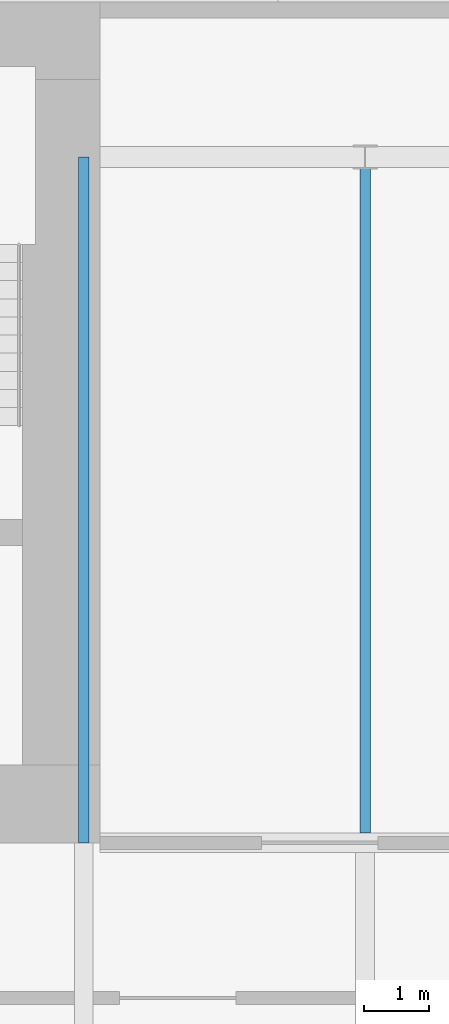
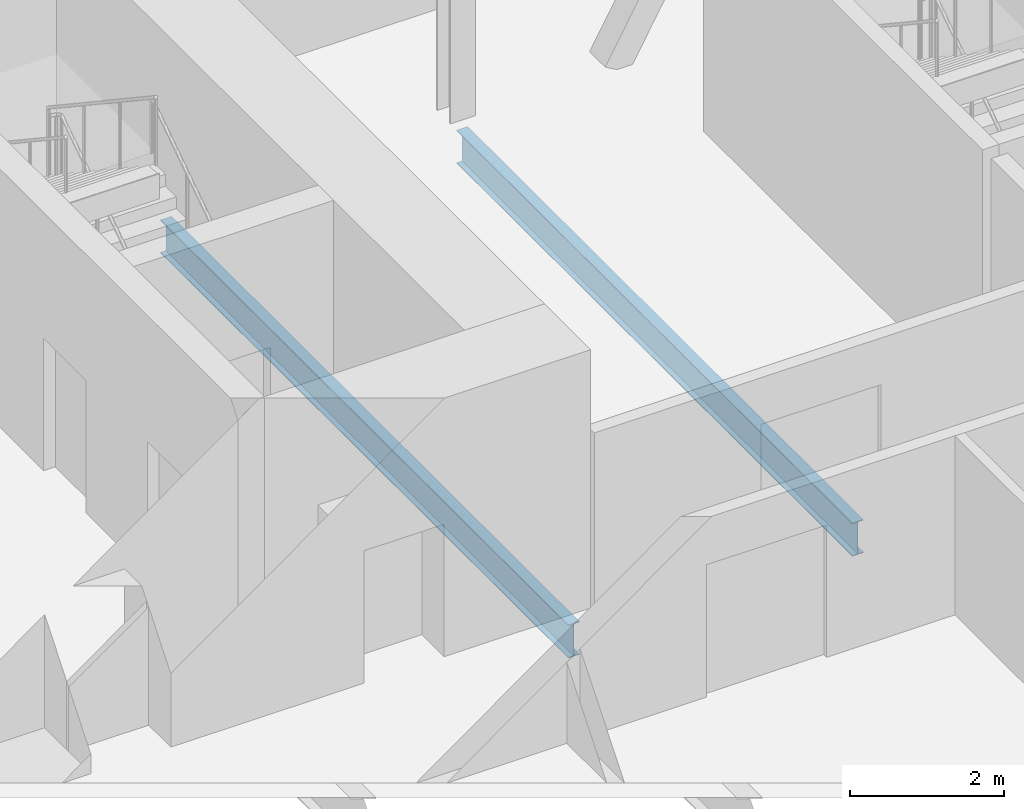
# One storey, part 10 of 21: 2 beams.
"""IFC4 building model written with IfcOpenShell, lengths in metres."""

from ifc_helpers import new_model, si_unit, direction, frame, origin, origin_2d, place, context, subcontext, project, spatial, i_section, extrude, material, material_profile, profile_set, type_object, element, save


model = new_model("IFC4")

# Units and contexts
model_context = context("Model", 3, precision=1e-05, world=origin(), true_north=direction((0.0, 1.0)))
body_context = subcontext(model_context, "Body", "Model", "MODEL_VIEW")
ifc_project = project(units=[si_unit("LENGTHUNIT", "METRE"), si_unit("AREAUNIT", "SQUARE_METRE"), si_unit("VOLUMEUNIT", "CUBIC_METRE"), si_unit("PLANEANGLEUNIT", "RADIAN"), si_unit("MASSUNIT", "GRAM", prefix="KILO")], contexts=[model_context])

# Site, building, storey
site_placement = place(None, origin())
site = spatial("IfcSite", under=ifc_project, at=site_placement, CompositionType="ELEMENT")
building_placement = place(site_placement, origin())
building = spatial("IfcBuilding", under=site, at=building_placement, Name="Bicima Exchange Tower", CompositionType="ELEMENT")
storey_placement = place(building_placement, frame((0.0, 0.0, 195.0)))
storey = spatial("IfcBuildingStorey", under=building, at=storey_placement, Name="L43", CompositionType="ELEMENT", Elevation=195.0)

# Beams
ifc_material = material(Name="Steel ASTM A992 Gr 50", Category="steel")
ifc_material_profile = material_profile(ifc_material, i_section(OverallWidth=0.165771484375, OverallDepth=0.5283203125, WebThickness=0.009765625, FlangeThickness=0.013671875, at=origin_2d()))
ifc_profile_set = profile_set([ifc_material_profile], Name="Steel ASTM A992 Gr 50")
beam_type = type_object("IfcBeamType", Name="Floor beam W21x50", PredefinedType="JOIST", material=ifc_profile_set)
beam_1_placement = place(storey_placement, frame((21.75, -2.39990234375, -0.414306640625), z_axis=(0.0, -1.0, 0.0), x_axis=(1.0, 0.0, 0.0)))
element("IfcBeam", 1, at=beam_1_placement, inside=storey, type_object=beam_type, Name="Floor beam", PredefinedType="JOIST", context=body_context, shape_type="SweptSolid", body=[
    extrude(i_section(OverallWidth=0.165771484375, OverallDepth=0.5283203125, WebThickness=0.009765625, FlangeThickness=0.013671875, at=origin_2d()), origin(), (0.0, 0.0, 1.0), 10.60009765625),
])
beam_2_placement = place(storey_placement, frame((26.10009765625, -2.5625, -0.414306640625), z_axis=(0.0, -1.0, 0.0), x_axis=(1.0, 0.0, 0.0)))
element("IfcBeam", 2, at=beam_2_placement, inside=storey, type_object=beam_type, Name="Floor beam", PredefinedType="JOIST", context=body_context, shape_type="SweptSolid", body=[
    extrude(i_section(OverallWidth=0.165771484375, OverallDepth=0.5283203125, WebThickness=0.009765625, FlangeThickness=0.013671875, at=origin_2d()), origin(), (0.0, 0.0, 1.0), 10.28515625),
])

save(model, "model.ifc")
